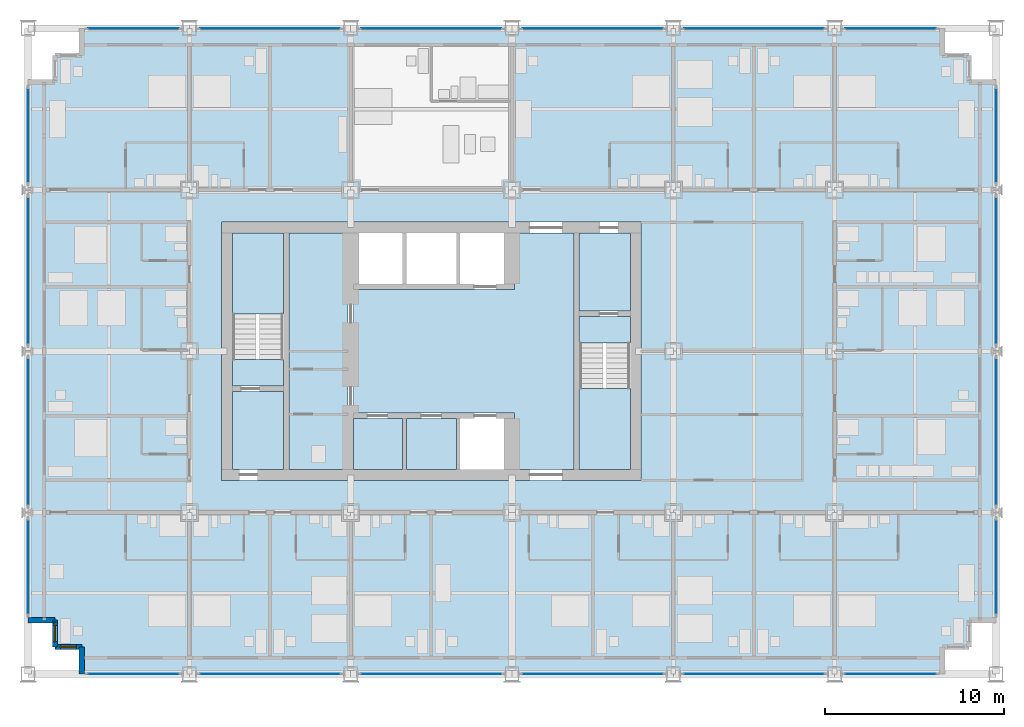
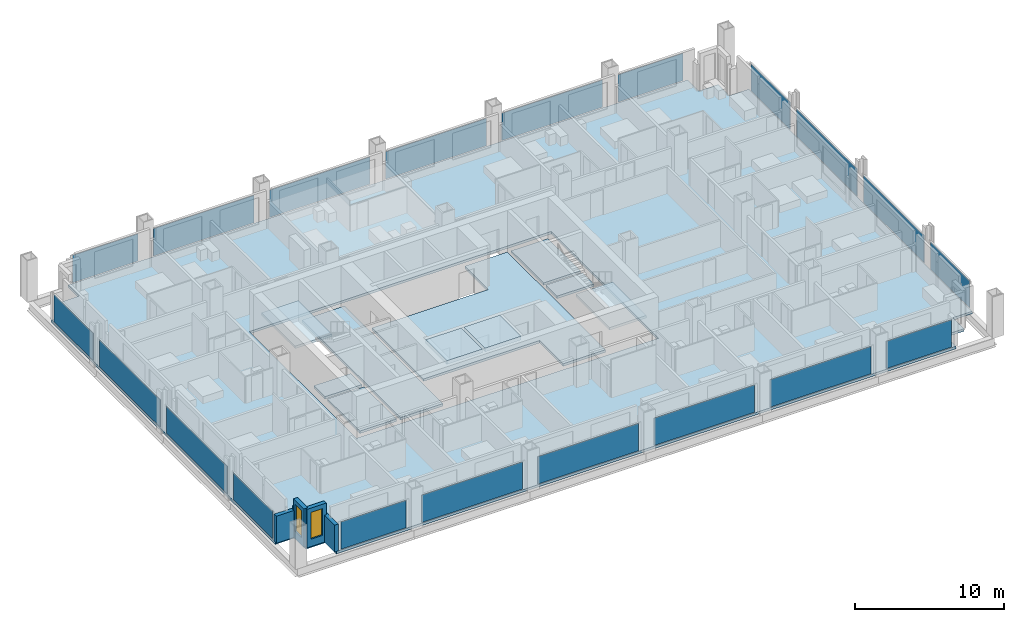
# One storey, part 9 of 19: 20 plates, 11 slabs, 5 walls, 2 windows, 2 openings, 22 elements without a shape of their own.
"""IFC4 building model written with IfcOpenShell, lengths in metres."""

from ifc_helpers import new_model, si_unit, direction, frame, frame_2d, origin, origin_2d, place, context, subcontext, project, spatial, polyline, rectangle, outline, extrude, material, layer, layer_set, type_object, element, fill, aggregate, save


model = new_model("IFC4")

# Units and contexts
model_context = context("Model", 3, precision=1e-05, world=origin(), true_north=direction((0.0, 1.0)))
body_context = subcontext(model_context, "Body", "Model", "MODEL_VIEW")
ifc_project = project(units=[si_unit("LENGTHUNIT", "METRE"), si_unit("AREAUNIT", "SQUARE_METRE"), si_unit("VOLUMEUNIT", "CUBIC_METRE"), si_unit("PLANEANGLEUNIT", "RADIAN"), si_unit("MASSUNIT", "GRAM", prefix="KILO")], contexts=[model_context])

# Site, building, storey
site_placement = place(None, origin())
site = spatial("IfcSite", under=ifc_project, at=site_placement, CompositionType="ELEMENT")
building_placement = place(site_placement, origin())
building = spatial("IfcBuilding", under=site, at=building_placement, Name="Loomwork Tower", CompositionType="ELEMENT")
storey_placement = place(building_placement, frame((0.0, 0.0, 85.800048828125)))
storey = spatial("IfcBuildingStorey", under=building, at=storey_placement, Name="L22", CompositionType="ELEMENT", Elevation=85.800048828125)

# Slabs
ifc_material_1 = material(Name="Concrete 5000 psi (34 MPa) on composite metal deck", Category="concrete")
ifc_layer_1 = layer(ifc_material_1, 0.199951171875)
ifc_layer_set_1 = layer_set([ifc_layer_1], Name="Floor slab 200")
slab_type_1 = type_object("IfcSlabType", Name="Floor slab 200", PredefinedType="FLOOR", material=ifc_layer_set_1)
slab_1_placement = place(storey_placement, frame((0.0, 0.0, -0.199951171875)))
element("IfcSlab", 1, at=slab_1_placement, inside=storey, type_object=slab_type_1, Name="Floor slab L22", PredefinedType="FLOOR", context=body_context, shape_type="SweptSolid", body=[
    extrude(outline(polyline([(3.0, 1.5), (1.5, 1.5), (1.5, 3.0), (0.0, 3.0), (0.0, 33.0), (1.5, 33.0), (1.5, 34.5), (3.0, 34.5), (3.0, 36.0), (51.0, 36.0), (51.0, 34.5), (52.5, 34.5), (52.5, 33.0), (54.0, 33.0), (54.0, 3.0), (52.5, 3.0), (52.5, 1.5), (51.0, 1.5), (51.0, 0.0), (3.0, 0.0), (3.0, 1.5)]), holes=[polyline([(10.800048828125, 11.39990234375), (10.800048828125, 11.39990234375), (10.800048828125, 10.800048828125), (34.199951171875, 10.800048828125), (34.199951171875, 11.39990234375), (34.199951171875, 11.39990234375), (34.199951171875, 24.60009765625), (34.199951171875, 25.199951171875), (10.800048828125, 25.199951171875), (10.800048828125, 24.60009765625), (10.800048828125, 11.39990234375)])]), origin(), (0.0, 0.0, 1.0), 0.199951171875),
])
slab_2_placement = place(storey_placement, frame((0.0, 0.0, -0.199951171875)))
element("IfcSlab", 2, at=slab_2_placement, inside=storey, type_object=slab_type_1, Name="Floor slab L22", PredefinedType="FLOOR", context=body_context, shape_type="SweptSolid", body=[
    extrude(outline(polyline([(30.449951171875, 24.60009765625), (30.449951171875, 11.39990234375), (27.14990234375, 11.39990234375), (27.14990234375, 14.25), (27.14990234375, 14.550048828125), (18.14990234375, 14.550048828125), (18.14990234375, 21.449951171875), (27.14990234375, 21.449951171875), (27.14990234375, 21.75), (27.14990234375, 24.60009765625), (30.449951171875, 24.60009765625)])), origin(), (0.0, 0.0, 1.0), 0.199951171875),
])
slab_3_placement = place(storey_placement, frame((0.0, 0.0, -0.199951171875)))
element("IfcSlab", 3, at=slab_3_placement, inside=storey, type_object=slab_type_1, Name="Floor slab L22", PredefinedType="FLOOR", context=body_context, shape_type="SweptSolid", body=[
    extrude(outline(polyline([(14.550048828125, 11.39990234375), (14.550048828125, 24.60009765625), (17.85009765625, 24.60009765625), (17.85009765625, 11.39990234375), (14.550048828125, 11.39990234375)])), origin(), (0.0, 0.0, 1.0), 0.199951171875),
])
slab_4_placement = place(storey_placement, frame((0.0, 0.0, -0.199951171875)))
element("IfcSlab", 4, at=slab_4_placement, inside=storey, type_object=slab_type_1, Name="Floor slab L22", PredefinedType="FLOOR", context=body_context, shape_type="SweptSolid", body=[
    extrude(outline(polyline([(33.60009765625, 20.25), (30.75, 20.25), (30.75, 24.60009765625), (33.60009765625, 24.60009765625), (33.60009765625, 20.25)])), origin(), (0.0, 0.0, 1.0), 0.199951171875),
])
slab_5_placement = place(storey_placement, frame((0.0, 0.0, -0.199951171875)))
element("IfcSlab", 5, at=slab_5_placement, inside=storey, type_object=slab_type_1, Name="Floor slab L22", PredefinedType="FLOOR", context=body_context, shape_type="SweptSolid", body=[
    extrude(outline(polyline([(14.25, 15.75), (14.25, 11.39990234375), (11.39990234375, 11.39990234375), (11.39990234375, 15.75), (14.25, 15.75)])), origin(), (0.0, 0.0, 1.0), 0.199951171875),
])
ifc_material_2 = material(Name="Concrete 5000 psi (34 MPa) on composite metal deck", Category="concrete")
ifc_layer_2 = layer(ifc_material_2, 0.300048828125)
ifc_layer_set_2 = layer_set([ifc_layer_2], Name="Lift separation slab 300")
slab_type_2 = type_object("IfcSlabType", Name="Lift separation slab 300", PredefinedType="FLOOR", material=ifc_layer_set_2)
slab_6_placement = place(storey_placement, frame((0.0, 0.0, 3.099853515625)))
element("IfcSlab", 6, at=slab_6_placement, inside=storey, type_object=slab_type_2, Name="Lift separation slab under LB1 L22", PredefinedType="FLOOR", context=body_context, shape_type="SweptSolid", body=[
    extrude(outline(polyline([(18.14990234375, 11.39990234375), (20.89990234375, 11.39990234375), (20.89990234375, 14.25), (18.14990234375, 14.25), (18.14990234375, 11.39990234375)])), origin(), (0.0, 0.0, 1.0), 0.300048828125),
])
slab_7_placement = place(storey_placement, frame((0.0, 0.0, 3.099853515625)))
element("IfcSlab", 7, at=slab_7_placement, inside=storey, type_object=slab_type_2, Name="Lift separation slab under LB2 L22", PredefinedType="FLOOR", context=body_context, shape_type="SweptSolid", body=[
    extrude(outline(polyline([(21.10009765625, 11.39990234375), (23.89990234375, 11.39990234375), (23.89990234375, 14.25), (21.10009765625, 14.25), (21.10009765625, 11.39990234375)])), origin(), (0.0, 0.0, 1.0), 0.300048828125),
])

# Curtain wall, plate
ifc_material_3 = material(Name="Aluminium curtain wall frame", Category="aluminium")
curtain_wall_type = type_object("IfcCurtainWallType", Name="Outer skin glazing hotel", PredefinedType="NOTDEFINED", material=ifc_material_3)
curtain_wall_1_placement = place(storey_placement, origin())
curtain_wall_1 = element("IfcCurtainWall", 8, at=curtain_wall_1_placement, inside=storey, type_object=curtain_wall_type, Name="Outer skin glazing hotel cw/S-0", PredefinedType="NOTDEFINED")
ifc_material_4 = material(Name="Clear laminated glass", Category="glass")
ifc_layer_3 = layer(ifc_material_4, 0.02392578125)
ifc_layer_set_3 = layer_set([ifc_layer_3], Name="Outer skin glazing hotel panel")
plate_type = type_object("IfcPlateType", Name="Outer skin glazing hotel panel", PredefinedType="CURTAIN_PANEL", material=ifc_layer_set_3)
plate_1_placement = place(storey_placement, frame((5.875, 0.0, 0.06494140625), z_axis=(0.0, 0.0, 1.0), x_axis=(1.0, 0.0, 0.0)))
plate_1 = element("IfcPlate", 9, at=plate_1_placement, type_object=plate_type, Name="CW1 panel 1.1", PredefinedType="CURTAIN_PANEL", context=body_context, shape_type="SweptSolid", body=[
    extrude(rectangle(XDim=5.050048828125, YDim=0.02392578125, at=origin_2d()), origin(), (0.0, 0.0, 1.0), 2.240234375),
])
aggregate(curtain_wall_1, [plate_1])

curtain_wall_2_placement = place(storey_placement, origin())
curtain_wall_2 = element("IfcCurtainWall", 10, at=curtain_wall_2_placement, inside=storey, type_object=curtain_wall_type, Name="Outer skin glazing hotel cw/S-9", PredefinedType="NOTDEFINED")
plate_2_placement = place(storey_placement, frame((13.5, 0.0, 0.06494140625), z_axis=(0.0, 0.0, 1.0), x_axis=(1.0, 0.0, 0.0)))
plate_2 = element("IfcPlate", 11, at=plate_2_placement, type_object=plate_type, Name="CW1 panel 1.1", PredefinedType="CURTAIN_PANEL", context=body_context, shape_type="SweptSolid", body=[
    extrude(rectangle(XDim=7.800048828125, YDim=0.02392578125, at=origin_2d()), origin(), (0.0, 0.0, 1.0), 2.240234375),
])
aggregate(curtain_wall_2, [plate_2])

curtain_wall_3_placement = place(storey_placement, origin())
curtain_wall_3 = element("IfcCurtainWall", 12, at=curtain_wall_3_placement, inside=storey, type_object=curtain_wall_type, Name="Outer skin glazing hotel cw/S-18", PredefinedType="NOTDEFINED")
plate_3_placement = place(storey_placement, frame((22.5, 0.0, 0.06494140625), z_axis=(0.0, 0.0, 1.0), x_axis=(1.0, 0.0, 0.0)))
plate_3 = element("IfcPlate", 13, at=plate_3_placement, type_object=plate_type, Name="CW1 panel 1.1", PredefinedType="CURTAIN_PANEL", context=body_context, shape_type="SweptSolid", body=[
    extrude(rectangle(XDim=7.800048828125, YDim=0.02392578125, at=origin_2d()), origin(), (0.0, 0.0, 1.0), 2.240234375),
])
aggregate(curtain_wall_3, [plate_3])

curtain_wall_4_placement = place(storey_placement, origin())
curtain_wall_4 = element("IfcCurtainWall", 14, at=curtain_wall_4_placement, inside=storey, type_object=curtain_wall_type, Name="Outer skin glazing hotel cw/S-27", PredefinedType="NOTDEFINED")
plate_4_placement = place(storey_placement, frame((31.5, 0.0, 0.06494140625), z_axis=(0.0, 0.0, 1.0), x_axis=(1.0, 0.0, 0.0)))
plate_4 = element("IfcPlate", 15, at=plate_4_placement, type_object=plate_type, Name="CW1 panel 1.1", PredefinedType="CURTAIN_PANEL", context=body_context, shape_type="SweptSolid", body=[
    extrude(rectangle(XDim=7.800048828125, YDim=0.02392578125, at=origin_2d()), origin(), (0.0, 0.0, 1.0), 2.240234375),
])
aggregate(curtain_wall_4, [plate_4])

curtain_wall_5_placement = place(storey_placement, origin())
curtain_wall_5 = element("IfcCurtainWall", 16, at=curtain_wall_5_placement, inside=storey, type_object=curtain_wall_type, Name="Outer skin glazing hotel cw/S-36", PredefinedType="NOTDEFINED")
plate_5_placement = place(storey_placement, frame((40.5, 0.0, 0.06494140625), z_axis=(0.0, 0.0, 1.0), x_axis=(1.0, 0.0, 0.0)))
plate_5 = element("IfcPlate", 17, at=plate_5_placement, type_object=plate_type, Name="CW1 panel 1.1", PredefinedType="CURTAIN_PANEL", context=body_context, shape_type="SweptSolid", body=[
    extrude(rectangle(XDim=7.800048828125, YDim=0.02392578125, at=origin_2d()), origin(), (0.0, 0.0, 1.0), 2.240234375),
])
aggregate(curtain_wall_5, [plate_5])

curtain_wall_6_placement = place(storey_placement, origin())
curtain_wall_6 = element("IfcCurtainWall", 18, at=curtain_wall_6_placement, inside=storey, type_object=curtain_wall_type, Name="Outer skin glazing hotel cw/S-45", PredefinedType="NOTDEFINED")
plate_6_placement = place(storey_placement, frame((48.125, 0.0, 0.06494140625), z_axis=(0.0, 0.0, 1.0), x_axis=(1.0, 0.0, 0.0)))
plate_6 = element("IfcPlate", 19, at=plate_6_placement, type_object=plate_type, Name="CW1 panel 1.1", PredefinedType="CURTAIN_PANEL", context=body_context, shape_type="SweptSolid", body=[
    extrude(rectangle(XDim=5.050048828125, YDim=0.02392578125, at=origin_2d()), origin(), (0.0, 0.0, 1.0), 2.240234375),
])
aggregate(curtain_wall_6, [plate_6])

curtain_wall_7_placement = place(storey_placement, origin())
curtain_wall_7 = element("IfcCurtainWall", 20, at=curtain_wall_7_placement, inside=storey, type_object=curtain_wall_type, Name="Outer skin glazing hotel cw/N-0", PredefinedType="NOTDEFINED")
plate_7_placement = place(storey_placement, frame((5.875, 36.0, 0.06494140625), z_axis=(0.0, 0.0, 1.0), x_axis=(-1.0, 0.0, 0.0)))
plate_7 = element("IfcPlate", 21, at=plate_7_placement, type_object=plate_type, Name="CW1 panel 1.1", PredefinedType="CURTAIN_PANEL", context=body_context, shape_type="SweptSolid", body=[
    extrude(rectangle(XDim=5.050048828125, YDim=0.02392578125, at=origin_2d()), origin(), (0.0, 0.0, 1.0), 2.240234375),
])
aggregate(curtain_wall_7, [plate_7])

curtain_wall_8_placement = place(storey_placement, origin())
curtain_wall_8 = element("IfcCurtainWall", 22, at=curtain_wall_8_placement, inside=storey, type_object=curtain_wall_type, Name="Outer skin glazing hotel cw/N-9", PredefinedType="NOTDEFINED")
plate_8_placement = place(storey_placement, frame((13.5, 36.0, 0.06494140625), z_axis=(0.0, 0.0, 1.0), x_axis=(-1.0, 0.0, 0.0)))
plate_8 = element("IfcPlate", 23, at=plate_8_placement, type_object=plate_type, Name="CW1 panel 1.1", PredefinedType="CURTAIN_PANEL", context=body_context, shape_type="SweptSolid", body=[
    extrude(rectangle(XDim=7.800048828125, YDim=0.02392578125, at=origin_2d()), origin(), (0.0, 0.0, 1.0), 2.240234375),
])
aggregate(curtain_wall_8, [plate_8])

curtain_wall_9_placement = place(storey_placement, origin())
curtain_wall_9 = element("IfcCurtainWall", 24, at=curtain_wall_9_placement, inside=storey, type_object=curtain_wall_type, Name="Outer skin glazing hotel cw/N-18", PredefinedType="NOTDEFINED")
plate_9_placement = place(storey_placement, frame((22.5, 36.0, 0.06494140625), z_axis=(0.0, 0.0, 1.0), x_axis=(-1.0, 0.0, 0.0)))
plate_9 = element("IfcPlate", 25, at=plate_9_placement, type_object=plate_type, Name="CW1 panel 1.1", PredefinedType="CURTAIN_PANEL", context=body_context, shape_type="SweptSolid", body=[
    extrude(rectangle(XDim=7.800048828125, YDim=0.02392578125, at=origin_2d()), origin(), (0.0, 0.0, 1.0), 2.240234375),
])
aggregate(curtain_wall_9, [plate_9])

curtain_wall_10_placement = place(storey_placement, origin())
curtain_wall_10 = element("IfcCurtainWall", 26, at=curtain_wall_10_placement, inside=storey, type_object=curtain_wall_type, Name="Outer skin glazing hotel cw/N-27", PredefinedType="NOTDEFINED")
plate_10_placement = place(storey_placement, frame((31.5, 36.0, 0.06494140625), z_axis=(0.0, 0.0, 1.0), x_axis=(-1.0, 0.0, 0.0)))
plate_10 = element("IfcPlate", 27, at=plate_10_placement, type_object=plate_type, Name="CW1 panel 1.1", PredefinedType="CURTAIN_PANEL", context=body_context, shape_type="SweptSolid", body=[
    extrude(rectangle(XDim=7.800048828125, YDim=0.02392578125, at=origin_2d()), origin(), (0.0, 0.0, 1.0), 2.240234375),
])
aggregate(curtain_wall_10, [plate_10])

curtain_wall_11_placement = place(storey_placement, origin())
curtain_wall_11 = element("IfcCurtainWall", 28, at=curtain_wall_11_placement, inside=storey, type_object=curtain_wall_type, Name="Outer skin glazing hotel cw/N-36", PredefinedType="NOTDEFINED")
plate_11_placement = place(storey_placement, frame((40.5, 36.0, 0.06494140625), z_axis=(0.0, 0.0, 1.0), x_axis=(-1.0, 0.0, 0.0)))
plate_11 = element("IfcPlate", 29, at=plate_11_placement, type_object=plate_type, Name="CW1 panel 1.1", PredefinedType="CURTAIN_PANEL", context=body_context, shape_type="SweptSolid", body=[
    extrude(rectangle(XDim=7.800048828125, YDim=0.02392578125, at=origin_2d()), origin(), (0.0, 0.0, 1.0), 2.240234375),
])
aggregate(curtain_wall_11, [plate_11])

curtain_wall_12_placement = place(storey_placement, origin())
curtain_wall_12 = element("IfcCurtainWall", 30, at=curtain_wall_12_placement, inside=storey, type_object=curtain_wall_type, Name="Outer skin glazing hotel cw/N-45", PredefinedType="NOTDEFINED")
plate_12_placement = place(storey_placement, frame((48.125, 36.0, 0.06494140625), z_axis=(0.0, 0.0, 1.0), x_axis=(-1.0, 0.0, 0.0)))
plate_12 = element("IfcPlate", 31, at=plate_12_placement, type_object=plate_type, Name="CW1 panel 1.1", PredefinedType="CURTAIN_PANEL", context=body_context, shape_type="SweptSolid", body=[
    extrude(rectangle(XDim=5.050048828125, YDim=0.02392578125, at=origin_2d()), origin(), (0.0, 0.0, 1.0), 2.240234375),
])
aggregate(curtain_wall_12, [plate_12])

curtain_wall_13_placement = place(storey_placement, origin())
curtain_wall_13 = element("IfcCurtainWall", 32, at=curtain_wall_13_placement, inside=storey, type_object=curtain_wall_type, Name="Outer skin glazing hotel cw/W-0", PredefinedType="NOTDEFINED")
plate_13_placement = place(storey_placement, frame((0.0, 5.96142578125, 0.06494140625), z_axis=(0.0, 0.0, 1.0), x_axis=(0.0, -1.0, 0.0)))
plate_13 = element("IfcPlate", 33, at=plate_13_placement, type_object=plate_type, Name="CW1 panel 1.1", PredefinedType="CURTAIN_PANEL", context=body_context, shape_type="SweptSolid", body=[
    extrude(rectangle(XDim=5.22265625, YDim=0.02392578125, at=origin_2d()), origin(), (0.0, 0.0, 1.0), 2.240234375),
])
aggregate(curtain_wall_13, [plate_13])

curtain_wall_14_placement = place(storey_placement, origin())
curtain_wall_14 = element("IfcCurtainWall", 34, at=curtain_wall_14_placement, inside=storey, type_object=curtain_wall_type, Name="Outer skin glazing hotel cw/W-9", PredefinedType="NOTDEFINED")
plate_14_placement = place(storey_placement, frame((0.0, 13.5, 0.06494140625), z_axis=(0.0, 0.0, 1.0), x_axis=(0.0, -1.0, 0.0)))
plate_14 = element("IfcPlate", 35, at=plate_14_placement, type_object=plate_type, Name="CW1 panel 1.1", PredefinedType="CURTAIN_PANEL", context=body_context, shape_type="SweptSolid", body=[
    extrude(rectangle(XDim=8.1455078125, YDim=0.02392578125, at=origin_2d()), origin(), (0.0, 0.0, 1.0), 2.240234375),
])
aggregate(curtain_wall_14, [plate_14])

curtain_wall_15_placement = place(storey_placement, origin())
curtain_wall_15 = element("IfcCurtainWall", 36, at=curtain_wall_15_placement, inside=storey, type_object=curtain_wall_type, Name="Outer skin glazing hotel cw/W-18", PredefinedType="NOTDEFINED")
plate_15_placement = place(storey_placement, frame((0.0, 22.5, 0.06494140625), z_axis=(0.0, 0.0, 1.0), x_axis=(0.0, -1.0, 0.0)))
plate_15 = element("IfcPlate", 37, at=plate_15_placement, type_object=plate_type, Name="CW1 panel 1.1", PredefinedType="CURTAIN_PANEL", context=body_context, shape_type="SweptSolid", body=[
    extrude(rectangle(XDim=8.1455078125, YDim=0.02392578125, at=origin_2d()), origin(), (0.0, 0.0, 1.0), 2.240234375),
])
aggregate(curtain_wall_15, [plate_15])

curtain_wall_16_placement = place(storey_placement, origin())
curtain_wall_16 = element("IfcCurtainWall", 38, at=curtain_wall_16_placement, inside=storey, type_object=curtain_wall_type, Name="Outer skin glazing hotel cw/W-27", PredefinedType="NOTDEFINED")
plate_16_placement = place(storey_placement, frame((0.0, 30.03857421875, 0.06494140625), z_axis=(0.0, 0.0, 1.0), x_axis=(0.0, -1.0, 0.0)))
plate_16 = element("IfcPlate", 39, at=plate_16_placement, type_object=plate_type, Name="CW1 panel 1.1", PredefinedType="CURTAIN_PANEL", context=body_context, shape_type="SweptSolid", body=[
    extrude(rectangle(XDim=5.22265625, YDim=0.02392578125, at=origin_2d()), origin(), (0.0, 0.0, 1.0), 2.240234375),
])
aggregate(curtain_wall_16, [plate_16])

curtain_wall_17_placement = place(storey_placement, origin())
curtain_wall_17 = element("IfcCurtainWall", 40, at=curtain_wall_17_placement, inside=storey, type_object=curtain_wall_type, Name="Outer skin glazing hotel cw/E-0", PredefinedType="NOTDEFINED")
plate_17_placement = place(storey_placement, frame((54.0, 5.96142578125, 0.06494140625), z_axis=(0.0, 0.0, 1.0), x_axis=(0.0, 1.0, 0.0)))
plate_17 = element("IfcPlate", 41, at=plate_17_placement, type_object=plate_type, Name="CW1 panel 1.1", PredefinedType="CURTAIN_PANEL", context=body_context, shape_type="SweptSolid", body=[
    extrude(rectangle(XDim=5.22265625, YDim=0.02392578125, at=origin_2d()), origin(), (0.0, 0.0, 1.0), 2.240234375),
])
aggregate(curtain_wall_17, [plate_17])

curtain_wall_18_placement = place(storey_placement, origin())
curtain_wall_18 = element("IfcCurtainWall", 42, at=curtain_wall_18_placement, inside=storey, type_object=curtain_wall_type, Name="Outer skin glazing hotel cw/E-9", PredefinedType="NOTDEFINED")
plate_18_placement = place(storey_placement, frame((54.0, 13.5, 0.06494140625), z_axis=(0.0, 0.0, 1.0), x_axis=(0.0, 1.0, 0.0)))
plate_18 = element("IfcPlate", 43, at=plate_18_placement, type_object=plate_type, Name="CW1 panel 1.1", PredefinedType="CURTAIN_PANEL", context=body_context, shape_type="SweptSolid", body=[
    extrude(rectangle(XDim=8.1455078125, YDim=0.02392578125, at=origin_2d()), origin(), (0.0, 0.0, 1.0), 2.240234375),
])
aggregate(curtain_wall_18, [plate_18])

curtain_wall_19_placement = place(storey_placement, origin())
curtain_wall_19 = element("IfcCurtainWall", 44, at=curtain_wall_19_placement, inside=storey, type_object=curtain_wall_type, Name="Outer skin glazing hotel cw/E-18", PredefinedType="NOTDEFINED")
plate_19_placement = place(storey_placement, frame((54.0, 22.5, 0.06494140625), z_axis=(0.0, 0.0, 1.0), x_axis=(0.0, 1.0, 0.0)))
plate_19 = element("IfcPlate", 45, at=plate_19_placement, type_object=plate_type, Name="CW1 panel 1.1", PredefinedType="CURTAIN_PANEL", context=body_context, shape_type="SweptSolid", body=[
    extrude(rectangle(XDim=8.1455078125, YDim=0.02392578125, at=origin_2d()), origin(), (0.0, 0.0, 1.0), 2.240234375),
])
aggregate(curtain_wall_19, [plate_19])

curtain_wall_20_placement = place(storey_placement, origin())
curtain_wall_20 = element("IfcCurtainWall", 46, at=curtain_wall_20_placement, inside=storey, type_object=curtain_wall_type, Name="Outer skin glazing hotel cw/E-27", PredefinedType="NOTDEFINED")
plate_20_placement = place(storey_placement, frame((54.0, 30.03857421875, 0.06494140625), z_axis=(0.0, 0.0, 1.0), x_axis=(0.0, 1.0, 0.0)))
plate_20 = element("IfcPlate", 47, at=plate_20_placement, type_object=plate_type, Name="CW1 panel 1.1", PredefinedType="CURTAIN_PANEL", context=body_context, shape_type="SweptSolid", body=[
    extrude(rectangle(XDim=5.22265625, YDim=0.02392578125, at=origin_2d()), origin(), (0.0, 0.0, 1.0), 2.240234375),
])
aggregate(curtain_wall_20, [plate_20])

# Stair, slabs
ifc_material_5 = material(Name="Concrete 5000 psi (34 MPa) precast stair", Category="concrete")
stair_type_1 = type_object("IfcStairType", Name="Stair ST-A 20 risers 2850 wide", PredefinedType="HALF_TURN_STAIR", material=ifc_material_5)
stair_1_placement = place(storey_placement, origin())
stair_1 = element("IfcStair", 48, at=stair_1_placement, inside=storey, type_object=stair_type_1, Name="Stair A L22", PredefinedType="HALF_TURN_STAIR")
ifc_material_6 = material(Name="Concrete 5000 psi (34 MPa)", Category="concrete")
ifc_layer_4 = layer(ifc_material_6, 0.199951171875)
ifc_layer_set_4 = layer_set([ifc_layer_4], Name="Stair landing 200")
slab_type_3 = type_object("IfcSlabType", Name="Stair landing 200", PredefinedType="LANDING", material=ifc_layer_set_4)
slab_8_placement = place(storey_placement, frame((0.0, 0.0, -0.199951171875)))
slab_8 = element("IfcSlab", 49, at=slab_8_placement, type_object=slab_type_3, Name="ST-A landing 1", PredefinedType="LANDING", context=body_context, shape_type="SweptSolid", body=[
    extrude(outline(polyline([(11.39990234375, 16.050048828125), (14.25, 16.050048828125), (14.25, 17.550048828125), (11.39990234375, 17.550048828125), (11.39990234375, 16.050048828125)])), origin(), (0.0, 0.0, 1.0), 0.199951171875),
])
slab_9_placement = place(storey_placement, frame((0.0, 0.0, 1.5)))
slab_9 = element("IfcSlab", 50, at=slab_9_placement, type_object=slab_type_3, Name="ST-A landing 2", PredefinedType="LANDING", context=body_context, shape_type="SweptSolid", body=[
    extrude(outline(polyline([(11.39990234375, 20.070068359375), (14.25, 20.070068359375), (14.25, 24.60009765625), (11.39990234375, 24.60009765625), (11.39990234375, 20.070068359375)])), origin(), (0.0, 0.0, 1.0), 0.199951171875),
])
aggregate(stair_1, [slab_8, slab_9])

ifc_material_7 = material(Name="Concrete 5000 psi (34 MPa) precast stair", Category="concrete")
stair_type_2 = type_object("IfcStairType", Name="Stair ST-B 20 risers 2850 wide", PredefinedType="HALF_TURN_STAIR", material=ifc_material_7)
stair_2_placement = place(storey_placement, origin())
stair_2 = element("IfcStair", 51, at=stair_2_placement, inside=storey, type_object=stair_type_2, Name="Stair B L22", PredefinedType="HALF_TURN_STAIR")
slab_10_placement = place(storey_placement, frame((0.0, 0.0, -0.199951171875)))
slab_10 = element("IfcSlab", 52, at=slab_10_placement, type_object=slab_type_3, Name="ST-B landing 1", PredefinedType="LANDING", context=body_context, shape_type="SweptSolid", body=[
    extrude(outline(polyline([(30.75, 18.449951171875), (33.60009765625, 18.449951171875), (33.60009765625, 19.949951171875), (30.75, 19.949951171875), (30.75, 18.449951171875)])), origin(), (0.0, 0.0, 1.0), 0.199951171875),
])
slab_11_placement = place(storey_placement, frame((0.0, 0.0, 1.5)))
slab_11 = element("IfcSlab", 53, at=slab_11_placement, type_object=slab_type_3, Name="ST-B landing 2", PredefinedType="LANDING", context=body_context, shape_type="SweptSolid", body=[
    extrude(outline(polyline([(30.75, 11.39990234375), (33.60009765625, 11.39990234375), (33.60009765625, 15.929931640625), (30.75, 15.929931640625), (30.75, 11.39990234375)])), origin(), (0.0, 0.0, 1.0), 0.199951171875),
])
aggregate(stair_2, [slab_10, slab_11])

# Walls
ifc_material_8 = material(Name="Limestone on concrete masonry", Category="masonry")
ifc_layer_5 = layer(ifc_material_8, 0.300048828125)
ifc_layer_set_5 = layer_set([ifc_layer_5], Name="Limestone corner wall 300")
wall_type = type_object("IfcWallType", Name="Limestone corner wall 300", PredefinedType="SOLIDWALL", material=ifc_layer_set_5)
wall_1_placement = place(storey_placement, frame((0.0, 3.0, 0.0), z_axis=(0.0, 0.0, 1.0), x_axis=(1.0, 0.0, 0.0)))
element("IfcWall", 54, at=wall_1_placement, inside=storey, type_object=wall_type, Name="Stone corner wall SW 1", PredefinedType="SOLIDWALL", context=body_context, shape_type="SweptSolid", body=[
    extrude(rectangle(XDim=1.5, YDim=0.300048828125, at=frame_2d((0.75, 0.0))), origin(), (0.0, 0.0, 1.0), 2.201904296875),
])
wall_2_placement = place(storey_placement, frame((1.5, 3.0, 0.0), z_axis=(0.0, 0.0, 1.0), x_axis=(0.0, -1.0, 0.0)))
element("IfcWall", 55, at=wall_2_placement, inside=storey, type_object=wall_type, Name="Stone corner wall SW 2", PredefinedType="SOLIDWALL", context=body_context, shape_type="SweptSolid", body=[
    extrude(rectangle(XDim=0.1162109375, YDim=0.300048828125, at=frame_2d((0.05810546875, 0.0))), origin(), (0.0, 0.0, 1.0), 2.5419921875),
])

# Wall, opening, window
wall_3_placement = place(storey_placement, frame((1.5, 1.5, 0.0), z_axis=(0.0, 0.0, 1.0), x_axis=(1.0, 0.0, 0.0)))
wall_3 = element("IfcWall", 56, at=wall_3_placement, inside=storey, type_object=wall_type, Name="Stone corner wall SW 3", PredefinedType="SOLIDWALL", context=body_context, shape_type="SweptSolid", body=[
    extrude(rectangle(XDim=1.5, YDim=0.300048828125, at=frame_2d((0.75, 0.0))), origin(), (0.0, 0.0, 1.0), 3.14990234375),
])
opening_1_placement = place(wall_3_placement, frame((0.300048828125, 0.0, 0.60009765625)))
opening_1 = element("IfcOpeningElement", 57, at=opening_1_placement, cuts=wall_3, Name="Opening CH2", PredefinedType="OPENING", context=body_context, shape_type="SweptSolid", body=[
    extrude(rectangle(XDim=0.89990234375, YDim=2.199951171875, at=frame_2d((0.449951171875, 1.10009765625))), frame((0.0, 0.159912109375, 0.0), z_axis=(0.0, -1.0, 0.0), x_axis=(1.0, 0.0, 0.0)), (0.0, 0.0, 1.0), 0.320068359375),
])
ifc_material_9 = material(Name="Aluminium frame with clear insulated glass", Category="aluminium")
window_type = type_object("IfcWindowType", Name="Corner window 900", PartitioningType="SINGLE_PANEL", PredefinedType="WINDOW", material=ifc_material_9)
window_1_placement = place(opening_1_placement, origin())
window_1 = element("IfcWindow", 58, at=window_1_placement, inside=storey, type_object=window_type, Name="Corner window SW", OverallHeight=2.199951171875, OverallWidth=0.89990234375, PartitioningType="SINGLE_PANEL", PredefinedType="WINDOW", context=body_context, shape_type="SweptSolid", body=[
    extrude(rectangle(XDim=0.89990234375, YDim=2.199951171875, at=frame_2d((0.449951171875, 1.10009765625))), frame((0.0, 0.030029296875, 0.0), z_axis=(0.0, -1.0, 0.0), x_axis=(1.0, 0.0, 0.0)), (0.0, 0.0, 1.0), 0.06005859375),
])
fill(opening_1, window_1)

# Wall
wall_4_placement = place(storey_placement, frame((3.0, 1.5, 0.0), z_axis=(0.0, 0.0, 1.0), x_axis=(0.0, -1.0, 0.0)))
element("IfcWall", 59, at=wall_4_placement, inside=storey, type_object=wall_type, Name="Stone corner wall SW 4", PredefinedType="SOLIDWALL", context=body_context, shape_type="SweptSolid", body=[
    extrude(rectangle(XDim=1.5, YDim=0.300048828125, at=frame_2d((0.75, 0.0))), origin(), (0.0, 0.0, 1.0), 2.201904296875),
])

# Wall, opening, window
wall_5_placement = place(storey_placement, frame((1.5, 2.8837890625, 0.0), z_axis=(0.0, 0.0, 1.0), x_axis=(0.0, -1.0, 0.0)))
wall_5 = element("IfcWall", 60, at=wall_5_placement, inside=storey, type_object=wall_type, Name="Stone corner wall SW 2 bay 2", PredefinedType="SOLIDWALL", context=body_context, shape_type="SweptSolid", body=[
    extrude(rectangle(XDim=1.3837890625, YDim=0.300048828125, at=frame_2d((0.69189453125, 0.0))), origin(), (0.0, 0.0, 1.0), 3.14990234375),
])
opening_2_placement = place(wall_5_placement, frame((0.183837890625, 0.0, 0.60009765625)))
opening_2 = element("IfcOpeningElement", 61, at=opening_2_placement, cuts=wall_5, Name="Opening CH2", PredefinedType="OPENING", context=body_context, shape_type="SweptSolid", body=[
    extrude(rectangle(XDim=0.89990234375, YDim=2.199951171875, at=frame_2d((0.449951171875, 1.10009765625))), frame((0.0, 0.159912109375, 0.0), z_axis=(0.0, -1.0, 0.0), x_axis=(1.0, 0.0, 0.0)), (0.0, 0.0, 1.0), 0.320068359375),
])
window_2_placement = place(opening_2_placement, origin())
window_2 = element("IfcWindow", 62, at=window_2_placement, inside=storey, type_object=window_type, Name="Corner window SW", OverallHeight=2.199951171875, OverallWidth=0.89990234375, PartitioningType="SINGLE_PANEL", PredefinedType="WINDOW", context=body_context, shape_type="SweptSolid", body=[
    extrude(rectangle(XDim=0.89990234375, YDim=2.199951171875, at=frame_2d((0.449951171875, 1.10009765625))), frame((0.0, 0.030029296875, 0.0), z_axis=(0.0, -1.0, 0.0), x_axis=(1.0, 0.0, 0.0)), (0.0, 0.0, 1.0), 0.06005859375),
])
fill(opening_2, window_2)

save(model, "model.ifc")
